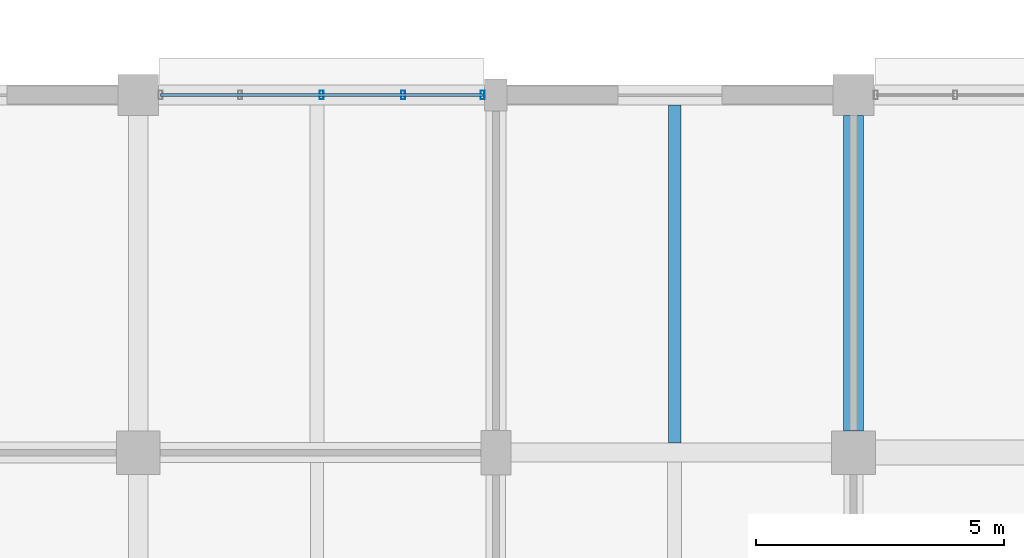
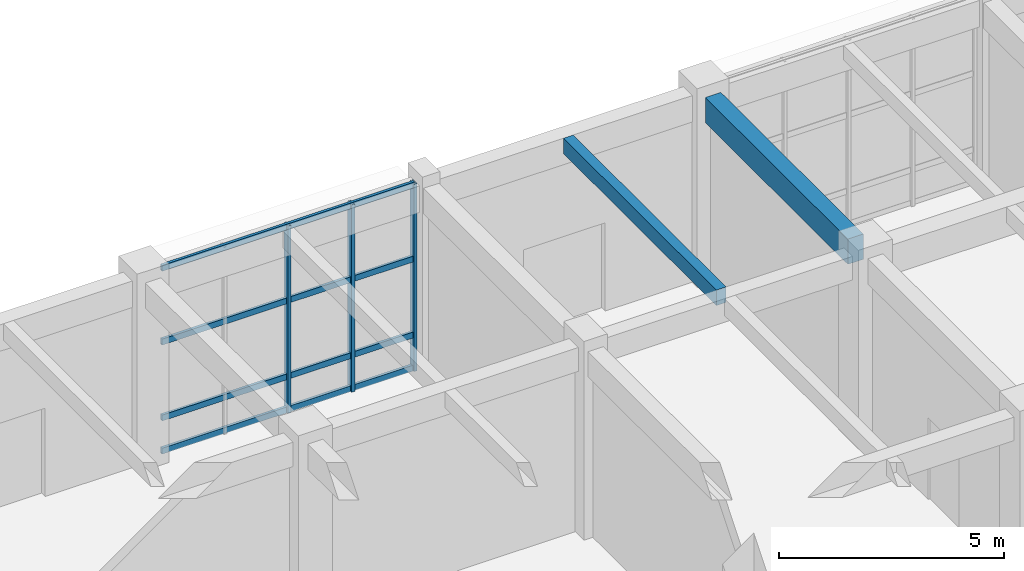
# One storey, part 104 of 160: 7 members, 2 beams, 1 element without a shape of its own.
"""IFC4 building model written with IfcOpenShell, lengths in metres."""

from ifc_helpers import new_model, si_unit, direction, frame, origin, origin_2d, place, context, subcontext, project, spatial, rectangle, hollow_rectangle, extrude, material, material_profile, profile_set, type_object, element, aggregate, save


model = new_model("IFC4")

# Units and contexts
model_context = context("Model", 3, precision=1e-05, world=origin(), true_north=direction((0.0, 1.0)))
body_context = subcontext(model_context, "Body", "Model", "MODEL_VIEW")
ifc_project = project(units=[si_unit("LENGTHUNIT", "METRE"), si_unit("AREAUNIT", "SQUARE_METRE"), si_unit("VOLUMEUNIT", "CUBIC_METRE"), si_unit("PLANEANGLEUNIT", "RADIAN"), si_unit("MASSUNIT", "GRAM", prefix="KILO")], contexts=[model_context])

# Site, building, storey
site_placement = place(None, origin())
site = spatial("IfcSite", under=ifc_project, at=site_placement, CompositionType="ELEMENT")
building_placement = place(site_placement, origin())
building = spatial("IfcBuilding", under=site, at=building_placement, Name="Thalmaran Polytechnic", CompositionType="ELEMENT")
storey_placement = place(building_placement, origin())
storey = spatial("IfcBuildingStorey", under=building, at=storey_placement, Name="L00", CompositionType="ELEMENT", Elevation=0.0)

# Beams
ifc_material_1 = material(Name="Concrete C40/50", Category="concrete")
ifc_material_profile_1 = material_profile(ifc_material_1, rectangle(XDim=0.39990234375, YDim=0.68505859375, at=origin_2d()), Name="RC 400x685")
ifc_profile_set_1 = profile_set([ifc_material_profile_1], Name="Concrete C40/50")
beam_type_1 = type_object("IfcBeamType", Name="BM-ZB07", PredefinedType="BEAM", material=ifc_profile_set_1)
beam_1_placement = place(storey_placement, frame((136.800048828125, 115.639892578125, 4.74755859375), z_axis=(0.0, 1.0, 0.0), x_axis=(-1.0, 0.0, 0.0)))
element("IfcBeam", 1, at=beam_1_placement, inside=storey, type_object=beam_type_1, Name="Grid Beam ZB07 L00 Y(19,16)", PredefinedType="BEAM", context=body_context, shape_type="SweptSolid", body=[
    extrude(rectangle(XDim=0.39990234375, YDim=0.68505859375, at=origin_2d()), origin(), (0.0, 0.0, 1.0), 6.35009765625),
])
ifc_material_profile_2 = material_profile(ifc_material_1, rectangle(XDim=0.25, YDim=0.419921875, at=origin_2d()), Name="RC 250x420")
ifc_profile_set_2 = profile_set([ifc_material_profile_2], Name="Concrete C40/50")
beam_type_2 = type_object("IfcBeamType", Name="BM-ZJ03", PredefinedType="JOIST", material=ifc_profile_set_2)
beam_2_placement = place(storey_placement, frame((133.199951171875, 115.389892578125, 4.8798828125), z_axis=(0.0, 1.0, 0.0), x_axis=(-1.0, 0.0, 0.0)))
element("IfcBeam", 2, at=beam_2_placement, inside=storey, type_object=beam_type_2, Name="Secondary Floor Rib ZJ03 L00 (18,16)", PredefinedType="JOIST", context=body_context, shape_type="SweptSolid", body=[
    extrude(rectangle(XDim=0.25, YDim=0.419921875, at=origin_2d()), origin(), (0.0, 0.0, 1.0), 6.81005859375),
])

# Curtain wall, members
ifc_material_2 = material(Name="Aluminium 6063-T6", Category="aluminium")
curtain_wall_type = type_object("IfcCurtainWallType", Name="CW-UC01", PredefinedType="USERDEFINED", material=ifc_material_2)
curtain_wall_placement = place(storey_placement, origin())
curtain_wall = element("IfcCurtainWall", 3, at=curtain_wall_placement, inside=storey, type_object=curtain_wall_type, Name="Curtain Wall CW-L00-010", ObjectType="UNITISED CURTAIN WALL", PredefinedType="USERDEFINED")
ifc_material_profile_3 = material_profile(ifc_material_2, hollow_rectangle(XDim=0.080078125, YDim=0.179931640625, WallThickness=0.0048828125, at=origin_2d()), Name="RHS 180x80x5.0")
ifc_profile_set_3 = profile_set([ifc_material_profile_3], Name="Aluminium 6063-T6")
member_type_1 = type_object("IfcMemberType", Name="CW-MUL1", PredefinedType="MULLION", material=ifc_profile_set_3)
member_1_placement = place(storey_placement, frame((126.092529296875, 122.39990234375, 0.0), z_axis=(0.0, 0.0, 1.0), x_axis=(1.0, 0.0, 0.0)))
member_1 = element("IfcMember", 4, at=member_1_placement, type_object=member_type_1, Name="CW-L00-010 Mullion 3", PredefinedType="MULLION", context=body_context, shape_type="SweptSolid", body=[
    extrude(hollow_rectangle(XDim=0.080078125, YDim=0.179931640625, WallThickness=0.0048828125, at=origin_2d()), origin(), (0.0, 0.0, 1.0), 5.090087890625),
])
member_2_placement = place(storey_placement, frame((127.733642578125, 122.39990234375, 0.0), z_axis=(0.0, 0.0, 1.0), x_axis=(1.0, 0.0, 0.0)))
member_2 = element("IfcMember", 5, at=member_2_placement, type_object=member_type_1, Name="CW-L00-010 Mullion 4", PredefinedType="MULLION", context=body_context, shape_type="SweptSolid", body=[
    extrude(hollow_rectangle(XDim=0.080078125, YDim=0.179931640625, WallThickness=0.0048828125, at=origin_2d()), origin(), (0.0, 0.0, 1.0), 5.090087890625),
])
member_3_placement = place(storey_placement, frame((129.3349609375, 122.39990234375, 0.0), z_axis=(0.0, 0.0, 1.0), x_axis=(1.0, 0.0, 0.0)))
member_3 = element("IfcMember", 6, at=member_3_placement, type_object=member_type_1, Name="CW-L00-010 Mullion 5", PredefinedType="MULLION", context=body_context, shape_type="SweptSolid", body=[
    extrude(hollow_rectangle(XDim=0.080078125, YDim=0.179931640625, WallThickness=0.0048828125, at=origin_2d()), origin(), (0.0, 0.0, 1.0), 5.090087890625),
])
ifc_material_profile_4 = material_profile(ifc_material_2, hollow_rectangle(XDim=0.070068359375, YDim=0.159912109375, WallThickness=0.00390625, at=origin_2d()), Name="AL 160x70x4.0")
ifc_profile_set_4 = profile_set([ifc_material_profile_4], Name="Aluminium 6063-T6")
member_type_2 = type_object("IfcMemberType", Name="CW-TRN1", PredefinedType="USERDEFINED", material=ifc_profile_set_4)
member_4_placement = place(storey_placement, frame((122.85009765625, 122.39990234375, 0.06005859375), z_axis=(1.0, 0.0, 0.0), x_axis=(0.0, 1.0, 0.0)))
member_4 = element("IfcMember", 7, at=member_4_placement, type_object=member_type_2, Name="CW-L00-010 Transom 1", ObjectType="TRANSOM", PredefinedType="USERDEFINED", context=body_context, shape_type="SweptSolid", body=[
    extrude(hollow_rectangle(XDim=0.070068359375, YDim=0.159912109375, WallThickness=0.00390625, at=origin_2d()), origin(), (0.0, 0.0, 1.0), 6.48486328125),
])
member_5_placement = place(storey_placement, frame((122.85009765625, 122.39990234375, 0.9599609375), z_axis=(1.0, 0.0, 0.0), x_axis=(0.0, 1.0, 0.0)))
member_5 = element("IfcMember", 8, at=member_5_placement, type_object=member_type_2, Name="CW-L00-010 Transom 2", ObjectType="TRANSOM", PredefinedType="USERDEFINED", context=body_context, shape_type="SweptSolid", body=[
    extrude(hollow_rectangle(XDim=0.070068359375, YDim=0.159912109375, WallThickness=0.00390625, at=origin_2d()), origin(), (0.0, 0.0, 1.0), 6.48486328125),
])
member_6_placement = place(storey_placement, frame((122.85009765625, 122.39990234375, 3.02490234375), z_axis=(1.0, 0.0, 0.0), x_axis=(0.0, 1.0, 0.0)))
member_6 = element("IfcMember", 9, at=member_6_placement, type_object=member_type_2, Name="CW-L00-010 Transom 3", ObjectType="TRANSOM", PredefinedType="USERDEFINED", context=body_context, shape_type="SweptSolid", body=[
    extrude(hollow_rectangle(XDim=0.070068359375, YDim=0.159912109375, WallThickness=0.00390625, at=origin_2d()), origin(), (0.0, 0.0, 1.0), 6.48486328125),
])
member_7_placement = place(storey_placement, frame((122.85009765625, 122.39990234375, 5.030029296875), z_axis=(1.0, 0.0, 0.0), x_axis=(0.0, 1.0, 0.0)))
member_7 = element("IfcMember", 10, at=member_7_placement, type_object=member_type_2, Name="CW-L00-010 Transom 4", ObjectType="TRANSOM", PredefinedType="USERDEFINED", context=body_context, shape_type="SweptSolid", body=[
    extrude(hollow_rectangle(XDim=0.070068359375, YDim=0.159912109375, WallThickness=0.00390625, at=origin_2d()), origin(), (0.0, 0.0, 1.0), 6.48486328125),
])
aggregate(curtain_wall, [member_1, member_2, member_3, member_4, member_5, member_6, member_7])

save(model, "model.ifc")
